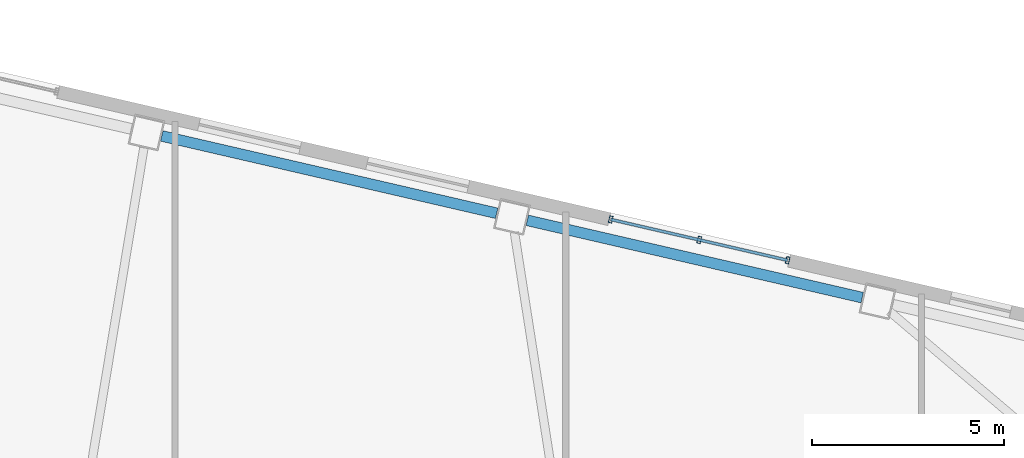
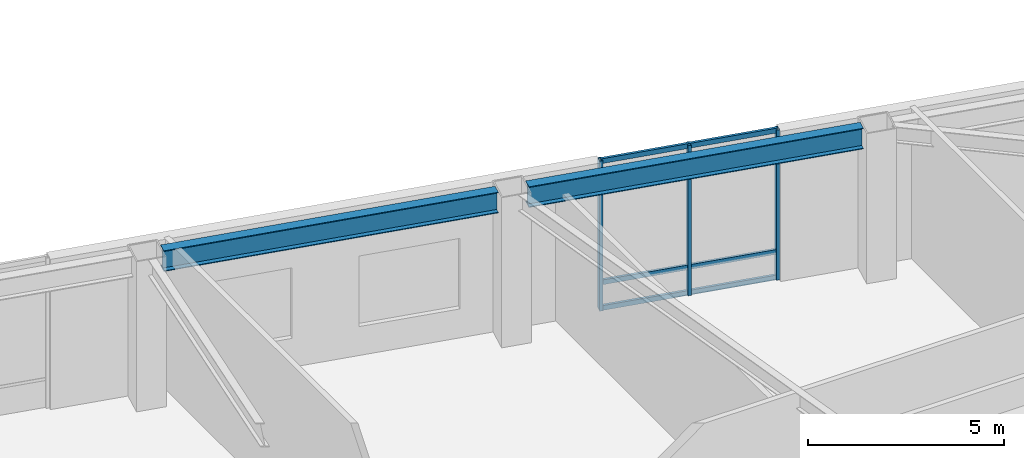
# One storey, part 7 of 19: 6 members, 2 beams, 1 element without a shape of its own.
"""IFC4 building model written with IfcOpenShell, lengths in metres."""

from ifc_helpers import new_model, si_unit, direction, frame, origin, origin_2d, place, context, subcontext, project, spatial, hollow_rectangle, i_section, extrude, material, layer, layer_set, material_profile, profile_set, type_object, element, aggregate, save


model = new_model("IFC4")

# Units and contexts
model_context = context("Model", 3, precision=1e-05, world=origin(), true_north=direction((0.0, 1.0)))
body_context = subcontext(model_context, "Body", "Model", "MODEL_VIEW")
ifc_project = project(units=[si_unit("LENGTHUNIT", "METRE"), si_unit("AREAUNIT", "SQUARE_METRE"), si_unit("VOLUMEUNIT", "CUBIC_METRE"), si_unit("PLANEANGLEUNIT", "RADIAN"), si_unit("MASSUNIT", "GRAM", prefix="KILO")], contexts=[model_context])

# Site, building, storey
site_placement = place(None, origin())
site = spatial("IfcSite", under=ifc_project, at=site_placement, CompositionType="ELEMENT")
building_placement = place(site_placement, origin())
building = spatial("IfcBuilding", under=site, at=building_placement, Name="Tavrogorsk Clinical Tower", CompositionType="ELEMENT")
storey_placement = place(building_placement, frame((0.0, 0.0, 28.39990234375)))
storey = spatial("IfcBuildingStorey", under=building, at=storey_placement, Name="L05", CompositionType="ELEMENT", Elevation=28.39990234375)

# Curtain wall, members
ifc_material_1 = material(Name="Anodised aluminium and triple IGU glazing", Category="aluminium")
ifc_layer = layer(ifc_material_1, 0.179931640625)
ifc_layer_set = layer_set([ifc_layer], Name="Anodised aluminium and triple IGU glazing")
curtain_wall_type = type_object("IfcCurtainWallType", Name="CW2_NorthSlot", PredefinedType="NOTDEFINED", material=ifc_layer_set)
curtain_wall_placement = place(storey_placement, origin())
curtain_wall = element("IfcCurtainWall", 1, at=curtain_wall_placement, inside=storey, type_object=curtain_wall_type, Name="L05 Curtain Wall CW-L05-N-SLOT-2", PredefinedType="NOTDEFINED")
ifc_material_2 = material(Name="Anodised aluminium alloy AW-6060", Category="aluminium")
ifc_material_profile_1 = material_profile(ifc_material_2, hollow_rectangle(XDim=0.090087890625, YDim=0.179931640625, WallThickness=0.00634765625, at=origin_2d()), Name="RHS-180x90x6.3")
ifc_profile_set_1 = profile_set([ifc_material_profile_1], Name="Anodised aluminium alloy AW-6060")
member_type_1 = type_object("IfcMemberType", Name="CwMullion_180x90", PredefinedType="MULLION", material=ifc_profile_set_1)
member_1_placement = place(storey_placement, frame((15.117919921875, 20.254638671875, 0.0), z_axis=(0.0, 0.0, 1.0), x_axis=(-0.974370046851, 0.224951132027, 0.0)))
member_1 = element("IfcMember", 2, at=member_1_placement, type_object=member_type_1, Name="CW-L05-N-SLOT-2 Mullion 1", PredefinedType="MULLION", context=body_context, shape_type="SweptSolid", body=[
    extrude(hollow_rectangle(XDim=0.090087890625, YDim=0.179931640625, WallThickness=0.00634765625, at=origin_2d()), origin(), (0.0, 0.0, 1.0), 4.68017578125),
])
member_2_placement = place(storey_placement, frame((12.8193359375, 20.78515625, 0.0), z_axis=(0.0, 0.0, 1.0), x_axis=(-0.974370046851, 0.224951132027, 0.0)))
member_2 = element("IfcMember", 3, at=member_2_placement, type_object=member_type_1, Name="CW-L05-N-SLOT-2 Mullion 2", PredefinedType="MULLION", context=body_context, shape_type="SweptSolid", body=[
    extrude(hollow_rectangle(XDim=0.090087890625, YDim=0.179931640625, WallThickness=0.00634765625, at=origin_2d()), origin(), (0.0, 0.0, 1.0), 4.68017578125),
])
member_3_placement = place(storey_placement, frame((10.520751953125, 21.31591796875, 0.0), z_axis=(0.0, 0.0, 1.0), x_axis=(-0.974370046851, 0.224951132027, 0.0)))
member_3 = element("IfcMember", 4, at=member_3_placement, type_object=member_type_1, Name="CW-L05-N-SLOT-2 Mullion 3", PredefinedType="MULLION", context=body_context, shape_type="SweptSolid", body=[
    extrude(hollow_rectangle(XDim=0.090087890625, YDim=0.179931640625, WallThickness=0.00634765625, at=origin_2d()), origin(), (0.0, 0.0, 1.0), 4.68017578125),
])
ifc_material_3 = material(Name="Anodised aluminium alloy AW-6060", Category="aluminium")
ifc_material_profile_2 = material_profile(ifc_material_3, hollow_rectangle(XDim=0.074951171875, YDim=0.14990234375, WallThickness=0.0048828125, at=origin_2d()), Name="RHS-150x75x5")
ifc_profile_set_2 = profile_set([ifc_material_profile_2], Name="Anodised aluminium alloy AW-6060")
member_type_2 = type_object("IfcMemberType", Name="CwTransom_150x75", PredefinedType="USERDEFINED", material=ifc_profile_set_2)
member_4_placement = place(storey_placement, frame((15.117919921875, 20.254638671875, 0.050048828125), z_axis=(-0.974372877948, 0.22493886885, 0.0), x_axis=(-0.22493886885, -0.974372877948, 0.0)))
member_4 = element("IfcMember", 5, at=member_4_placement, type_object=member_type_2, Name="CW-L05-N-SLOT-2 Transom 1", ObjectType="TRANSOM", PredefinedType="USERDEFINED", context=body_context, shape_type="SweptSolid", body=[
    extrude(hollow_rectangle(XDim=0.074951171875, YDim=0.14990234375, WallThickness=0.0048828125, at=origin_2d()), origin(), (0.0, 0.0, 1.0), 4.718017578125),
])
member_5_placement = place(storey_placement, frame((15.117919921875, 20.254638671875, 0.85009765625), z_axis=(-0.974372877948, 0.22493886885, 0.0), x_axis=(-0.22493886885, -0.974372877948, 0.0)))
member_5 = element("IfcMember", 6, at=member_5_placement, type_object=member_type_2, Name="CW-L05-N-SLOT-2 Transom 2", ObjectType="TRANSOM", PredefinedType="USERDEFINED", context=body_context, shape_type="SweptSolid", body=[
    extrude(hollow_rectangle(XDim=0.074951171875, YDim=0.14990234375, WallThickness=0.0048828125, at=origin_2d()), origin(), (0.0, 0.0, 1.0), 4.718017578125),
])
member_6_placement = place(storey_placement, frame((15.117919921875, 20.254638671875, 4.630126953125), z_axis=(-0.974372877948, 0.22493886885, 0.0), x_axis=(-0.22493886885, -0.974372877948, 0.0)))
member_6 = element("IfcMember", 7, at=member_6_placement, type_object=member_type_2, Name="CW-L05-N-SLOT-2 Transom 3", ObjectType="TRANSOM", PredefinedType="USERDEFINED", context=body_context, shape_type="SweptSolid", body=[
    extrude(hollow_rectangle(XDim=0.074951171875, YDim=0.14990234375, WallThickness=0.0048828125, at=origin_2d()), origin(), (0.0, 0.0, 1.0), 4.718017578125),
])
aggregate(curtain_wall, [member_1, member_2, member_3, member_4, member_5, member_6])

# Beams
ifc_material_4 = material(Name="Structural steel S390", Category="steel")
ifc_material_profile_3 = material_profile(ifc_material_4, i_section(OverallWidth=0.280029296875, OverallDepth=0.64990234375, WebThickness=0.01611328125, FlangeThickness=0.02490234375, at=origin_2d()), Name="B-650x280x16x25")
ifc_profile_set_3 = profile_set([ifc_material_profile_3], Name="Structural steel S390")
beam_type = type_object("IfcBeamType", Name="SpandrelBeam_B650", PredefinedType="SPANDREL", material=ifc_profile_set_3)
for number, where, z_axis, x_axis, name in (
    (8, (17.056396484375, 19.28369140625, 4.35498046875), (-0.974372766602, 0.224939351168, 0.0), (-0.224939351168, -0.974372766602, 0.0), "L05 Perimeter Spandrel N3-N4"),
    (9, (7.5576171875, 21.4765625, 4.35498046875), (-0.974366775889, 0.224965299645, 0.0), (-0.224965299645, -0.974366775889, 0.0), "L05 Perimeter Spandrel N4-N5"),
):
    element("IfcBeam", number, at=place(storey_placement, frame(where, z_axis=z_axis, x_axis=x_axis)), inside=storey, type_object=beam_type, Name=name, PredefinedType="SPANDREL", context=body_context, shape_type="SweptSolid", body=[
        extrude(i_section(OverallWidth=0.280029296875, OverallDepth=0.64990234375, WebThickness=0.01611328125, FlangeThickness=0.02490234375, at=origin_2d()), origin(), (0.0, 0.0, 1.0), 8.9326171875),
    ])

save(model, "model.ifc")
